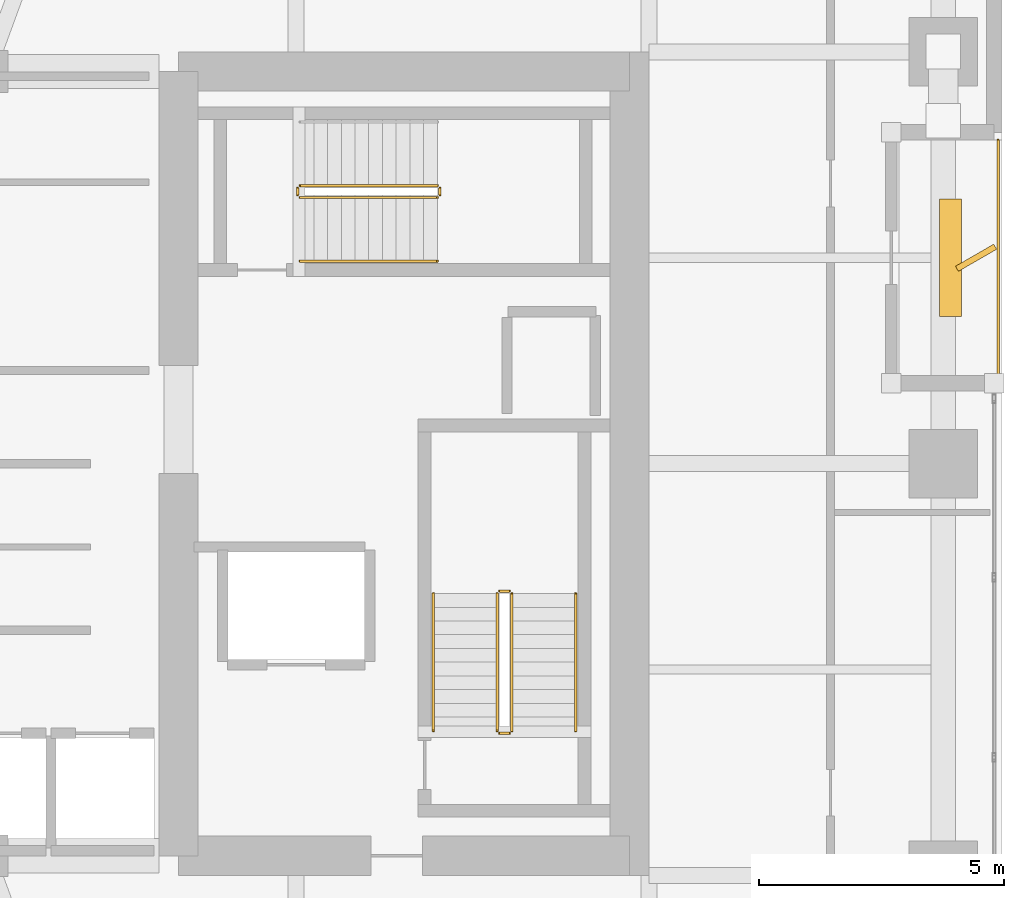
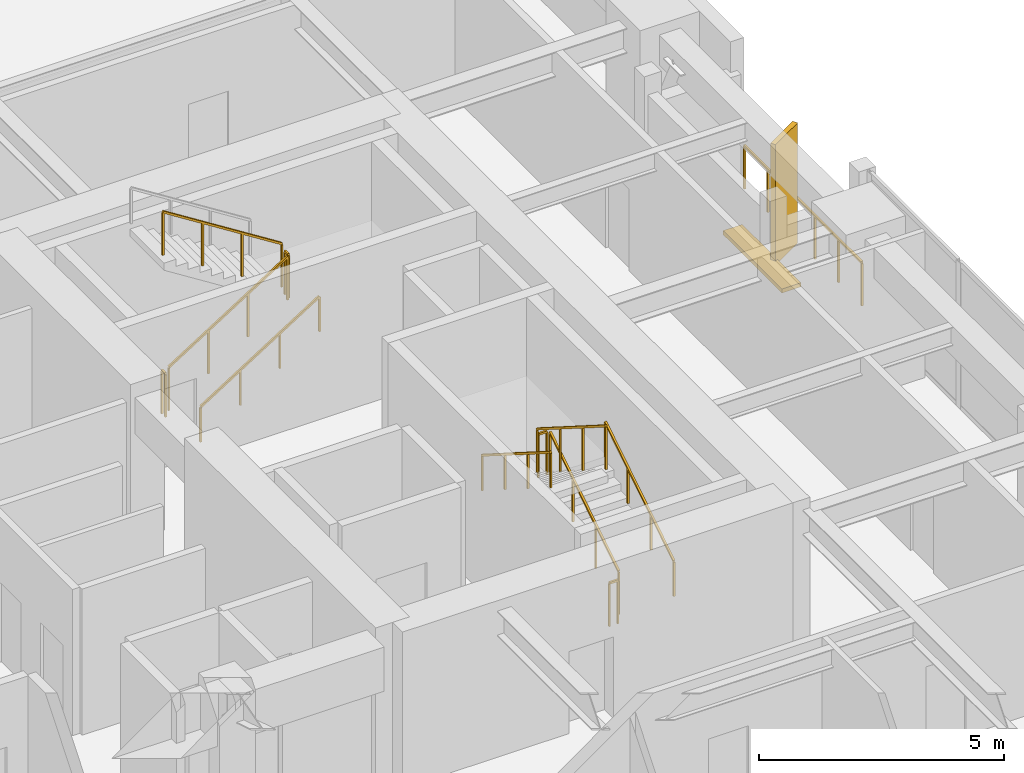
# One storey, part 23 of 24: 12 railings, 2 shading devices.
"""IFC4 building model written with IfcOpenShell, lengths in metres."""

from ifc_helpers import new_model, si_unit, direction, frame, origin, origin_2d, place, context, subcontext, project, spatial, rectangle, extrude, material, type_object, element, save


model = new_model("IFC4")

# Units and contexts
model_context = context("Model", 3, precision=1e-05, world=origin(), true_north=direction((0.0, 1.0)))
body_context = subcontext(model_context, "Body", "Model", "MODEL_VIEW")
ifc_project = project(units=[si_unit("LENGTHUNIT", "METRE"), si_unit("AREAUNIT", "SQUARE_METRE"), si_unit("VOLUMEUNIT", "CUBIC_METRE"), si_unit("PLANEANGLEUNIT", "RADIAN"), si_unit("MASSUNIT", "GRAM", prefix="KILO")], contexts=[model_context])

# Site, building, storey
site_placement = place(None, origin())
site = spatial("IfcSite", under=ifc_project, at=site_placement, CompositionType="ELEMENT")
building_placement = place(site_placement, origin())
building = spatial("IfcBuilding", under=site, at=building_placement, Name="Kiyonajd Concourse Tower", CompositionType="ELEMENT")
storey_placement = place(building_placement, frame((0.0, 0.0, 117.0)))
storey = spatial("IfcBuildingStorey", under=building, at=storey_placement, Name="L30", CompositionType="ELEMENT", Elevation=117.0)

# Railings
ifc_material_1 = material(Name="Thermally Broken Anodised Aluminium", Category="aluminium")
railing_type_1 = type_object("IfcRailingType", Name="RL-GRD-LOG", PredefinedType="GUARDRAIL", material=ifc_material_1)
railing_1_placement = place(storey_placement, frame((70.719970703125, 37.800048828125, 0.0)))
element("IfcRailing", 1, at=railing_1_placement, inside=storey, type_object=railing_type_1, Name="L30 Engawa Loggia Perimeter Guard LOG-E", PredefinedType="GUARDRAIL", context=body_context, shape_type="SweptSolid", body=[
    extrude(rectangle(XDim=0.048095703125, YDim=0.048095703125, at=origin_2d()), frame((0.0, 0.0, 1.076171875), z_axis=(0.0, 1.0, 0.0), x_axis=(-1.0, 0.0, 0.0)), (0.0, 0.0, 1.0), 4.800048828125),
    extrude(rectangle(XDim=0.0419921875, YDim=0.0419921875, at=origin_2d()), origin(), (0.0, 0.0, 1.0), 1.052001953125),
    extrude(rectangle(XDim=0.0419921875, YDim=0.0419921875, at=origin_2d()), frame((0.0, 0.9599609375, 0.0)), (0.0, 0.0, 1.0), 1.052001953125),
    extrude(rectangle(XDim=0.0419921875, YDim=0.0419921875, at=origin_2d()), frame((0.0, 1.919921875, 0.0)), (0.0, 0.0, 1.0), 1.052001953125),
    extrude(rectangle(XDim=0.0419921875, YDim=0.0419921875, at=origin_2d()), frame((0.0, 2.880126953125, 0.0)), (0.0, 0.0, 1.0), 1.052001953125),
    extrude(rectangle(XDim=0.0419921875, YDim=0.0419921875, at=origin_2d()), frame((0.0, 3.840087890625, 0.0)), (0.0, 0.0, 1.0), 1.052001953125),
    extrude(rectangle(XDim=0.0419921875, YDim=0.0419921875, at=origin_2d()), frame((0.0, 4.800048828125, 0.0)), (0.0, 0.0, 1.0), 1.052001953125),
])
ifc_material_2 = material(Name="Steel ASTM A500 Grade C", Category="steel")
railing_type_2 = type_object("IfcRailingType", Name="RL-GRD-STR", PredefinedType="GUARDRAIL", material=ifc_material_2)
railing_2_placement = place(storey_placement, frame((60.800048828125, 30.550048828125, 0.17724609375)))
element("IfcRailing", 2, at=railing_2_placement, inside=storey, type_object=railing_type_2, Name="L30 ST2 stair guard 1", PredefinedType="GUARDRAIL", context=body_context, shape_type="SweptSolid", body=[
    extrude(rectangle(XDim=0.048095703125, YDim=0.048095703125, at=origin_2d()), frame((0.0, 0.0, 1.076171875), z_axis=(0.0, 0.844908973607, 0.534910110503), x_axis=(-1.0, 0.0, 0.0)), (0.0, 0.0, 1.0), 3.31396484375),
    extrude(rectangle(XDim=0.0419921875, YDim=0.0419921875, at=origin_2d()), origin(), (0.0, 0.0, 1.0), 1.052001953125),
    extrude(rectangle(XDim=0.0419921875, YDim=0.0419921875, at=origin_2d()), frame((0.0, 0.933349609375, 0.5908203125)), (0.0, 0.0, 1.0), 1.052001953125),
    extrude(rectangle(XDim=0.0419921875, YDim=0.0419921875, at=origin_2d()), frame((0.0, 1.86669921875, 1.181884765625)), (0.0, 0.0, 1.0), 1.052001953125),
    extrude(rectangle(XDim=0.0419921875, YDim=0.0419921875, at=origin_2d()), frame((0.0, 2.800048828125, 1.772705078125)), (0.0, 0.0, 1.0), 1.052001953125),
])
railing_3_placement = place(storey_placement, frame((60.75, 33.39990234375, 1.949951171875)))
element("IfcRailing", 3, at=railing_3_placement, inside=storey, type_object=railing_type_2, Name="L30 ST2 stair guard 2", PredefinedType="GUARDRAIL", context=body_context, shape_type="SweptSolid", body=[
    extrude(rectangle(XDim=0.048095703125, YDim=0.048095703125, at=origin_2d()), frame((0.0, 0.0, 1.076171875), z_axis=(-1.0, 0.0, 0.0), x_axis=(0.0, -1.0, 0.0)), (0.0, 0.0, 1.0), 0.199951171875),
    extrude(rectangle(XDim=0.0419921875, YDim=0.0419921875, at=origin_2d()), origin(), (0.0, 0.0, 1.0), 1.052001953125),
    extrude(rectangle(XDim=0.0419921875, YDim=0.0419921875, at=origin_2d()), frame((-0.199951171875, 0.0, 0.0)), (0.0, 0.0, 1.0), 1.052001953125),
])
railing_4_placement = place(storey_placement, frame((60.5, 33.35009765625, 2.127197265625)))
element("IfcRailing", 4, at=railing_4_placement, inside=storey, type_object=railing_type_2, Name="L30 ST2 stair guard 3", PredefinedType="GUARDRAIL", context=body_context, shape_type="SweptSolid", body=[
    extrude(rectangle(XDim=0.048095703125, YDim=0.048095703125, at=origin_2d()), frame((0.0, 0.0, 1.076171875), z_axis=(0.0, -0.844908973607, 0.534910110503), x_axis=(1.0, 0.0, 0.0)), (0.0, 0.0, 1.0), 3.31396484375),
    extrude(rectangle(XDim=0.0419921875, YDim=0.0419921875, at=origin_2d()), origin(), (0.0, 0.0, 1.0), 1.052001953125),
    extrude(rectangle(XDim=0.0419921875, YDim=0.0419921875, at=origin_2d()), frame((0.0, -0.933349609375, 0.5908203125)), (0.0, 0.0, 1.0), 1.052001953125),
    extrude(rectangle(XDim=0.0419921875, YDim=0.0419921875, at=origin_2d()), frame((0.0, -1.86669921875, 1.181884765625)), (0.0, 0.0, 1.0), 1.052001953125),
    extrude(rectangle(XDim=0.0419921875, YDim=0.0419921875, at=origin_2d()), frame((0.0, -2.800048828125, 1.772705078125)), (0.0, 0.0, 1.0), 1.052001953125),
])
railing_5_placement = place(storey_placement, frame((60.75, 30.5, 0.0)))
element("IfcRailing", 5, at=railing_5_placement, inside=storey, type_object=railing_type_2, Name="L30 ST2 stair guard 4", PredefinedType="GUARDRAIL", context=body_context, shape_type="SweptSolid", body=[
    extrude(rectangle(XDim=0.048095703125, YDim=0.048095703125, at=origin_2d()), frame((0.0, 0.0, 1.076171875), z_axis=(-1.0, 0.0, 0.0), x_axis=(0.0, -1.0, 0.0)), (0.0, 0.0, 1.0), 0.199951171875),
    extrude(rectangle(XDim=0.0419921875, YDim=0.0419921875, at=origin_2d()), origin(), (0.0, 0.0, 1.0), 1.052001953125),
    extrude(rectangle(XDim=0.0419921875, YDim=0.0419921875, at=origin_2d()), frame((-0.199951171875, 0.0, 0.0)), (0.0, 0.0, 1.0), 1.052001953125),
])
railing_6_placement = place(storey_placement, frame((56.47998046875, 41.429931640625, 0.17724609375)))
element("IfcRailing", 6, at=railing_6_placement, inside=storey, type_object=railing_type_2, Name="L30 ST3 stair guard 1", PredefinedType="GUARDRAIL", context=body_context, shape_type="SweptSolid", body=[
    extrude(rectangle(XDim=0.048095703125, YDim=0.048095703125, at=origin_2d()), frame((0.0, 0.0, 1.076171875), z_axis=(0.844908973607, 0.0, 0.534910110503), x_axis=(0.0, 1.0, 0.0)), (0.0, 0.0, 1.0), 3.31396484375),
    extrude(rectangle(XDim=0.0419921875, YDim=0.0419921875, at=origin_2d()), origin(), (0.0, 0.0, 1.0), 1.052001953125),
    extrude(rectangle(XDim=0.0419921875, YDim=0.0419921875, at=origin_2d()), frame((0.933349609375, 0.0, 0.5908203125)), (0.0, 0.0, 1.0), 1.052001953125),
    extrude(rectangle(XDim=0.0419921875, YDim=0.0419921875, at=origin_2d()), frame((1.86669921875, 0.0, 1.181884765625)), (0.0, 0.0, 1.0), 1.052001953125),
    extrude(rectangle(XDim=0.0419921875, YDim=0.0419921875, at=origin_2d()), frame((2.800048828125, 0.0, 1.772705078125)), (0.0, 0.0, 1.0), 1.052001953125),
])
railing_7_placement = place(storey_placement, frame((59.330078125, 41.47998046875, 1.949951171875)))
element("IfcRailing", 7, at=railing_7_placement, inside=storey, type_object=railing_type_2, Name="L30 ST3 stair guard 2", PredefinedType="GUARDRAIL", context=body_context, shape_type="SweptSolid", body=[
    extrude(rectangle(XDim=0.048095703125, YDim=0.048095703125, at=origin_2d()), frame((0.0, 0.0, 1.076171875), z_axis=(0.0, 1.0, 0.0), x_axis=(-1.0, 0.0, 0.0)), (0.0, 0.0, 1.0), 0.14013671875),
    extrude(rectangle(XDim=0.0419921875, YDim=0.0419921875, at=origin_2d()), origin(), (0.0, 0.0, 1.0), 1.052001953125),
    extrude(rectangle(XDim=0.0419921875, YDim=0.0419921875, at=origin_2d()), frame((0.0, 0.14013671875, 0.0)), (0.0, 0.0, 1.0), 1.052001953125),
])
railing_8_placement = place(storey_placement, frame((59.280029296875, 41.669921875, 2.127197265625)))
element("IfcRailing", 8, at=railing_8_placement, inside=storey, type_object=railing_type_2, Name="L30 ST3 stair guard 3", PredefinedType="GUARDRAIL", context=body_context, shape_type="SweptSolid", body=[
    extrude(rectangle(XDim=0.048095703125, YDim=0.048095703125, at=origin_2d()), frame((0.0, 0.0, 1.076171875), z_axis=(-0.844908973607, 0.0, 0.534910110503), x_axis=(0.0, -1.0, 0.0)), (0.0, 0.0, 1.0), 3.31396484375),
    extrude(rectangle(XDim=0.0419921875, YDim=0.0419921875, at=origin_2d()), origin(), (0.0, 0.0, 1.0), 1.052001953125),
    extrude(rectangle(XDim=0.0419921875, YDim=0.0419921875, at=origin_2d()), frame((-0.933349609375, 0.0, 0.5908203125)), (0.0, 0.0, 1.0), 1.052001953125),
    extrude(rectangle(XDim=0.0419921875, YDim=0.0419921875, at=origin_2d()), frame((-1.86669921875, 0.0, 1.181884765625)), (0.0, 0.0, 1.0), 1.052001953125),
    extrude(rectangle(XDim=0.0419921875, YDim=0.0419921875, at=origin_2d()), frame((-2.800048828125, 0.0, 1.772705078125)), (0.0, 0.0, 1.0), 1.052001953125),
])
railing_9_placement = place(storey_placement, frame((56.429931640625, 41.47998046875, 0.0)))
element("IfcRailing", 9, at=railing_9_placement, inside=storey, type_object=railing_type_2, Name="L30 ST3 stair guard 4", PredefinedType="GUARDRAIL", context=body_context, shape_type="SweptSolid", body=[
    extrude(rectangle(XDim=0.048095703125, YDim=0.048095703125, at=origin_2d()), frame((0.0, 0.0, 1.076171875), z_axis=(0.0, 1.0, 0.0), x_axis=(-1.0, 0.0, 0.0)), (0.0, 0.0, 1.0), 0.14013671875),
    extrude(rectangle(XDim=0.0419921875, YDim=0.0419921875, at=origin_2d()), origin(), (0.0, 0.0, 1.0), 1.052001953125),
    extrude(rectangle(XDim=0.0419921875, YDim=0.0419921875, at=origin_2d()), frame((0.0, 0.14013671875, 0.0)), (0.0, 0.0, 1.0), 1.052001953125),
])
ifc_material_3 = material(Name="Brushed Stainless Steel Cab Assembly", Category="steel")
railing_type_3 = type_object("IfcRailingType", Name="RL-HND-900", PredefinedType="HANDRAIL", material=ifc_material_3)
railing_10_placement = place(storey_placement, frame((62.10009765625, 30.550048828125, 0.17724609375)))
element("IfcRailing", 10, at=railing_10_placement, inside=storey, type_object=railing_type_3, Name="L30 ST2 stair handrail 1", PredefinedType="HANDRAIL", context=body_context, shape_type="SweptSolid", body=[
    extrude(rectangle(XDim=0.048095703125, YDim=0.048095703125, at=origin_2d()), frame((0.0, 0.0, 0.8759765625), z_axis=(0.0, 0.844908973607, 0.534910110503), x_axis=(-1.0, 0.0, 0.0)), (0.0, 0.0, 1.0), 3.31396484375),
    extrude(rectangle(XDim=0.0419921875, YDim=0.0419921875, at=origin_2d()), origin(), (0.0, 0.0, 1.0), 0.851806640625),
    extrude(rectangle(XDim=0.0419921875, YDim=0.0419921875, at=origin_2d()), frame((0.0, 0.933349609375, 0.5908203125)), (0.0, 0.0, 1.0), 0.851806640625),
    extrude(rectangle(XDim=0.0419921875, YDim=0.0419921875, at=origin_2d()), frame((0.0, 1.86669921875, 1.181884765625)), (0.0, 0.0, 1.0), 0.851806640625),
    extrude(rectangle(XDim=0.0419921875, YDim=0.0419921875, at=origin_2d()), frame((0.0, 2.800048828125, 1.772705078125)), (0.0, 0.0, 1.0), 0.851806640625),
])
railing_11_placement = place(storey_placement, frame((59.199951171875, 33.35009765625, 2.127197265625)))
element("IfcRailing", 11, at=railing_11_placement, inside=storey, type_object=railing_type_3, Name="L30 ST2 stair handrail 2", PredefinedType="HANDRAIL", context=body_context, shape_type="SweptSolid", body=[
    extrude(rectangle(XDim=0.048095703125, YDim=0.048095703125, at=origin_2d()), frame((0.0, 0.0, 0.8759765625), z_axis=(0.0, -0.844908973607, 0.534910110503), x_axis=(1.0, 0.0, 0.0)), (0.0, 0.0, 1.0), 3.31396484375),
    extrude(rectangle(XDim=0.0419921875, YDim=0.0419921875, at=origin_2d()), origin(), (0.0, 0.0, 1.0), 0.851806640625),
    extrude(rectangle(XDim=0.0419921875, YDim=0.0419921875, at=origin_2d()), frame((0.0, -0.933349609375, 0.5908203125)), (0.0, 0.0, 1.0), 0.851806640625),
    extrude(rectangle(XDim=0.0419921875, YDim=0.0419921875, at=origin_2d()), frame((0.0, -1.86669921875, 1.181884765625)), (0.0, 0.0, 1.0), 0.851806640625),
    extrude(rectangle(XDim=0.0419921875, YDim=0.0419921875, at=origin_2d()), frame((0.0, -2.800048828125, 1.772705078125)), (0.0, 0.0, 1.0), 0.851806640625),
])
railing_12_placement = place(storey_placement, frame((56.47998046875, 40.1298828125, 0.17724609375)))
element("IfcRailing", 12, at=railing_12_placement, inside=storey, type_object=railing_type_3, Name="L30 ST3 stair handrail 1", PredefinedType="HANDRAIL", context=body_context, shape_type="SweptSolid", body=[
    extrude(rectangle(XDim=0.048095703125, YDim=0.048095703125, at=origin_2d()), frame((0.0, 0.0, 0.8759765625), z_axis=(0.844908973607, 0.0, 0.534910110503), x_axis=(0.0, 1.0, 0.0)), (0.0, 0.0, 1.0), 3.31396484375),
    extrude(rectangle(XDim=0.0419921875, YDim=0.0419921875, at=origin_2d()), origin(), (0.0, 0.0, 1.0), 0.851806640625),
    extrude(rectangle(XDim=0.0419921875, YDim=0.0419921875, at=origin_2d()), frame((0.933349609375, 0.0, 0.5908203125)), (0.0, 0.0, 1.0), 0.851806640625),
    extrude(rectangle(XDim=0.0419921875, YDim=0.0419921875, at=origin_2d()), frame((1.86669921875, 0.0, 1.181884765625)), (0.0, 0.0, 1.0), 0.851806640625),
    extrude(rectangle(XDim=0.0419921875, YDim=0.0419921875, at=origin_2d()), frame((2.800048828125, 0.0, 1.772705078125)), (0.0, 0.0, 1.0), 0.851806640625),
])

# Shading devices
ifc_material_4 = material(Name="Precast concrete C50/60", Category="concrete")
shading_device_type_1 = type_object("IfcShadingDeviceType", Name="SH-FIN-900", PredefinedType="USERDEFINED", material=ifc_material_4)
shading_device_1_placement = place(storey_placement, frame((70.27001953125, 40.199951171875, 0.0), z_axis=(0.0, 0.0, 1.0), x_axis=(0.866025403784, 0.5, 0.0)))
element("IfcShadingDevice", 13, at=shading_device_1_placement, inside=storey, type_object=shading_device_type_1, Name="L30 Angled Koshi Solar Fin LOG-E", ObjectType="FIN", PredefinedType="USERDEFINED", context=body_context, shape_type="SweptSolid", body=[
    extrude(rectangle(XDim=0.89990234375, YDim=0.1201171875, at=origin_2d()), origin(), (0.0, 0.0, 1.0), 3.0),
])
shading_device_type_2 = type_object("IfcShadingDeviceType", Name="SH-LVR-600", PredefinedType="JALOUSIE", material=ifc_material_1)
shading_device_2_placement = place(storey_placement, frame((69.75, 40.199951171875, 0.0), z_axis=(0.0, 0.0, 1.0), x_axis=(0.0, 1.0, 0.0)))
element("IfcShadingDevice", 14, at=shading_device_2_placement, inside=storey, type_object=shading_device_type_2, Name="L30 Loggia Threshold Louver LOG-E", PredefinedType="JALOUSIE", context=body_context, shape_type="SweptSolid", body=[
    extrude(rectangle(XDim=2.39990234375, YDim=0.449951171875, at=origin_2d()), origin(), (0.0, 0.0, 1.0), 0.10009765625),
])

save(model, "model.ifc")
